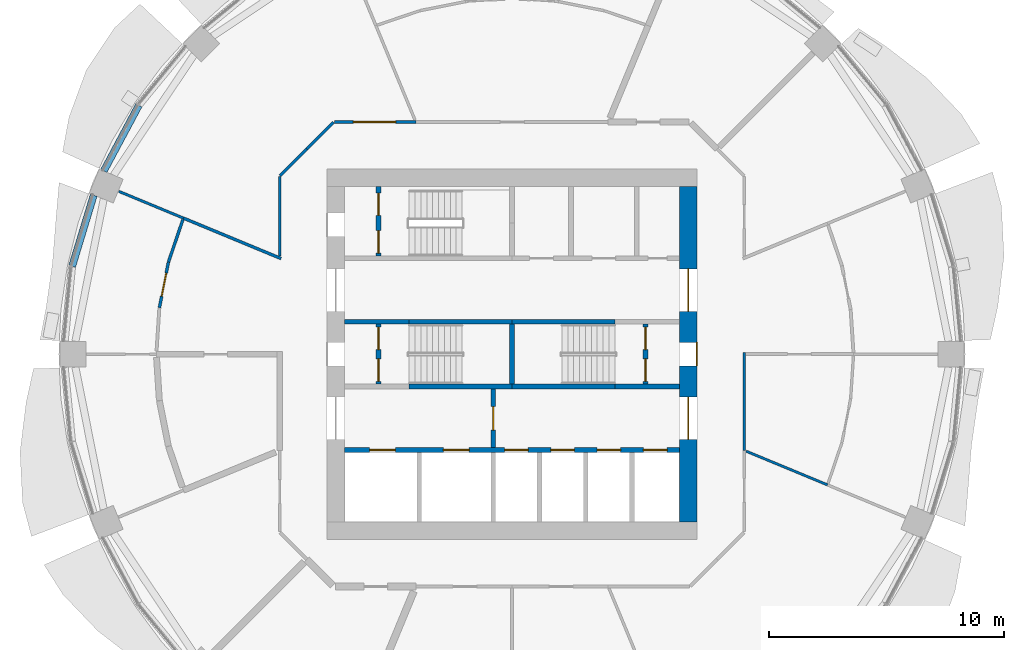
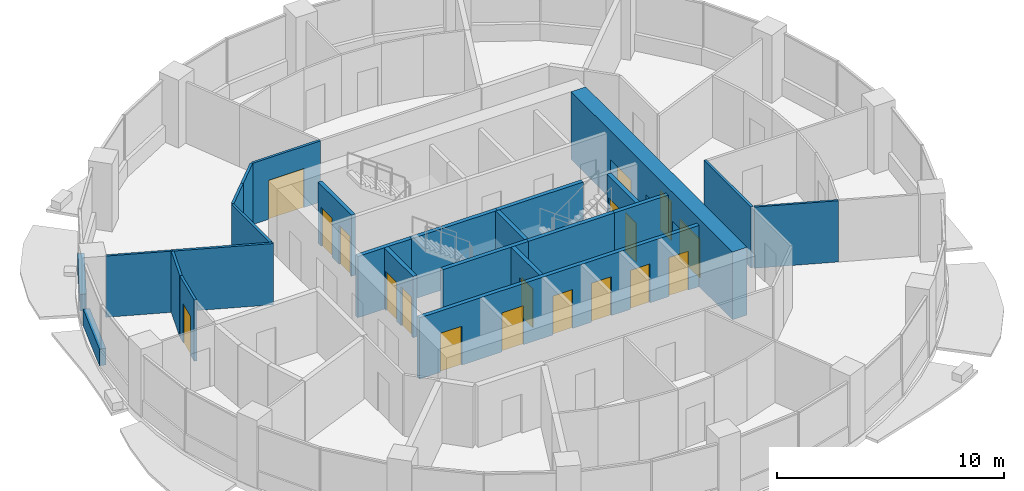
# One storey, part 8 of 14: 25 walls, 18 doors, 18 openings.
"""IFC4 building model written with IfcOpenShell, lengths in metres."""

from ifc_helpers import new_model, si_unit, direction, frame, frame_2d, origin, place, context, subcontext, project, spatial, rectangle, extrude, material, layer, layer_set, type_object, element, fill, save


model = new_model("IFC4")

# Units and contexts
model_context = context("Model", 3, precision=1e-05, world=origin(), true_north=direction((0.0, 1.0)))
body_context = subcontext(model_context, "Body", "Model", "MODEL_VIEW")
ifc_project = project(units=[si_unit("LENGTHUNIT", "METRE"), si_unit("AREAUNIT", "SQUARE_METRE"), si_unit("VOLUMEUNIT", "CUBIC_METRE"), si_unit("PLANEANGLEUNIT", "RADIAN"), si_unit("MASSUNIT", "GRAM", prefix="KILO")], contexts=[model_context])

# Site, building, storey
site_placement = place(None, origin())
site = spatial("IfcSite", under=ifc_project, at=site_placement, CompositionType="ELEMENT")
building_placement = place(site_placement, origin())
building = spatial("IfcBuilding", under=site, at=building_placement, Name="Polderwave Tower", CompositionType="ELEMENT")
storey_placement = place(building_placement, frame((0.0, 0.0, 94.64990234375)))
storey = spatial("IfcBuildingStorey", under=building, at=storey_placement, Name="L24", CompositionType="ELEMENT", Elevation=94.64990234375)

# Wall, openings, doors
ifc_material_1 = material(Name="Concrete C70/85", Category="concrete")
ifc_layer_1 = layer(ifc_material_1, 0.75)
ifc_layer_set_1 = layer_set([ifc_layer_1], Name="CORE WALL 750 C70/85")
wall_type_1 = type_object("IfcWallType", Name="CORE WALL 750 C70/85", PredefinedType="SHEAR", material=ifc_layer_set_1)
wall_1_placement = place(storey_placement, frame((7.4990234375, -7.1240234375, 0.0), z_axis=(0.0, 0.0, 1.0), x_axis=(0.0, 1.0, 0.0)))
wall_1 = element("IfcWall", 1, at=wall_1_placement, inside=storey, type_object=wall_type_1, Name="ST-CORE-L24-E", PredefinedType="SHEAR", context=body_context, shape_type="SweptSolid", body=[
    extrude(rectangle(XDim=14.248046875, YDim=0.75, at=frame_2d((7.1240234375, 0.0))), origin(), (0.0, 0.0, 1.0), 3.650146484375),
])
opening_1_placement = place(wall_1_placement, frame((6.6240234375, 0.0, 0.0)))
opening_1 = element("IfcOpeningElement", 2, at=opening_1_placement, cuts=wall_1, Name="Opening L24-D21", PredefinedType="OPENING", context=body_context, shape_type="SweptSolid", body=[
    extrude(rectangle(XDim=1.0, YDim=2.10009765625, at=frame_2d((0.5, 1.050048828125))), frame((0.0, 0.385009765625, 0.0), z_axis=(0.0, -1.0, 0.0), x_axis=(1.0, 0.0, 0.0)), (0.0, 0.0, 1.0), 0.77001953125),
])
opening_2_placement = place(wall_1_placement, frame((3.49951171875, 0.0, 0.0)))
opening_2 = element("IfcOpeningElement", 3, at=opening_2_placement, cuts=wall_1, Name="Opening L24-D22", PredefinedType="OPENING", context=body_context, shape_type="SweptSolid", body=[
    extrude(rectangle(XDim=1.800048828125, YDim=2.10009765625, at=frame_2d((0.89990234375, 1.050048828125))), frame((0.0, 0.385009765625, 0.0), z_axis=(0.0, -1.0, 0.0), x_axis=(1.0, 0.0, 0.0)), (0.0, 0.0, 1.0), 0.77001953125),
])
opening_3_placement = place(wall_1_placement, frame((8.948486328125, 0.0, 0.0)))
opening_3 = element("IfcOpeningElement", 4, at=opening_3_placement, cuts=wall_1, Name="Opening L24-D23", PredefinedType="OPENING", context=body_context, shape_type="SweptSolid", body=[
    extrude(rectangle(XDim=1.800048828125, YDim=2.10009765625, at=frame_2d((0.89990234375, 1.050048828125))), frame((0.0, 0.385009765625, 0.0), z_axis=(0.0, -1.0, 0.0), x_axis=(1.0, 0.0, 0.0)), (0.0, 0.0, 1.0), 0.77001953125),
])
ifc_material_2 = material(Name="Steel fire door", Category="steel")
door_type_1 = type_object("IfcDoorType", Name="Lobby entry door pair 1800", OperationType="DOUBLE_DOOR_SINGLE_SWING", PredefinedType="DOOR", material=ifc_material_2)
door_1_placement = place(opening_2_placement, frame((1.800048828125, 0.0, 0.0), z_axis=(0.0, 0.0, 1.0), x_axis=(-1.0, 0.0, 0.0)))
door_1 = element("IfcDoor", 5, at=door_1_placement, inside=storey, type_object=door_type_1, Name="South lobby entry door", OperationType="DOUBLE_DOOR_SINGLE_SWING", OverallHeight=2.10009765625, OverallWidth=1.800048828125, PredefinedType="DOOR", context=body_context, shape_type="SweptSolid", body=[
    extrude(rectangle(XDim=1.800048828125, YDim=2.10009765625, at=frame_2d((0.89990234375, 1.050048828125))), frame((0.0, 0.02490234375, 0.0), z_axis=(0.0, -1.0, 0.0), x_axis=(1.0, 0.0, 0.0)), (0.0, 0.0, 1.0), 0.050048828125),
])
fill(opening_2, door_1)
door_2_placement = place(opening_3_placement, frame((1.800048828125, 0.0, 0.0), z_axis=(0.0, 0.0, 1.0), x_axis=(-1.0, 0.0, 0.0)))
door_2 = element("IfcDoor", 6, at=door_2_placement, inside=storey, type_object=door_type_1, Name="North lobby entry door", OperationType="DOUBLE_DOOR_SINGLE_SWING", OverallHeight=2.10009765625, OverallWidth=1.800048828125, PredefinedType="DOOR", context=body_context, shape_type="SweptSolid", body=[
    extrude(rectangle(XDim=1.800048828125, YDim=2.10009765625, at=frame_2d((0.89990234375, 1.050048828125))), frame((0.0, 0.02490234375, 0.0), z_axis=(0.0, -1.0, 0.0), x_axis=(1.0, 0.0, 0.0)), (0.0, 0.0, 1.0), 0.050048828125),
])
fill(opening_3, door_2)
door_type_2 = type_object("IfcDoorType", Name="Stair door 1000", OperationType="NOTDEFINED", PredefinedType="DOOR", material=ifc_material_2)
door_3_placement = place(opening_1_placement, frame((1.0, 0.0, 0.0), z_axis=(0.0, 0.0, 1.0), x_axis=(-1.0, 0.0, 0.0)))
door_3 = element("IfcDoor", 7, at=door_3_placement, inside=storey, type_object=door_type_2, Name="Stair B entry door", OperationType="SINGLE_SWING_LEFT", OverallHeight=2.10009765625, OverallWidth=1.0, PredefinedType="DOOR", context=body_context, shape_type="SweptSolid", body=[
    extrude(rectangle(XDim=1.0, YDim=2.10009765625, at=frame_2d((0.5, 1.050048828125))), frame((0.0, 0.375, 0.0), z_axis=(0.0, -1.0, 0.0), x_axis=(1.0, 0.0, 0.0)), (0.0, 0.0, 1.0), 0.050048828125),
])
fill(opening_1, door_3)

# Walls
ifc_material_3 = material(Name="Concrete C50/60 (board-marked)", Category="concrete")
ifc_layer_2 = layer(ifc_material_3, 0.300048828125)
ifc_layer_set_2 = layer_set([ifc_layer_2], Name="Concrete spandrel upstand C50/60")
wall_type_2 = type_object("IfcWallType", Name="Concrete spandrel upstand C50/60", PredefinedType="SOLIDWALL", material=ifc_layer_set_2)
wall_2_placement = place(storey_placement, frame((-15.863037109375, 10.581787109375, 0.0), z_axis=(0.0, 0.0, 1.0), x_axis=(-0.471238306932, -0.882005928597, 0.0)))
element("IfcWall", 8, at=wall_2_placement, inside=storey, type_object=wall_type_2, Name="Spandrel L24 7b", PredefinedType="SOLIDWALL", context=body_context, shape_type="SweptSolid", body=[
    extrude(rectangle(XDim=3.1572265625, YDim=0.300048828125, at=frame_2d((1.57861328125, 0.0))), origin(), (0.0, 0.0, 1.0), 0.900146484375),
])
wall_3_placement = place(storey_placement, frame((-17.782470703125, 6.755615234375, 0.0), z_axis=(0.0, 0.0, 1.0), x_axis=(-0.290503096001, -0.956874051907, 0.0)))
element("IfcWall", 9, at=wall_3_placement, inside=storey, type_object=wall_type_2, Name="Spandrel L24 8a", PredefinedType="SOLIDWALL", context=body_context, shape_type="SweptSolid", body=[
    extrude(rectangle(XDim=3.157470703125, YDim=0.300048828125, at=frame_2d((1.57861328125, 0.0))), origin(), (0.0, 0.0, 1.0), 0.900146484375),
])

# Wall, opening, door
ifc_material_4 = material(Name="Gypsum board partition")
ifc_layer_3 = layer(ifc_material_4, 0.199951171875)
ifc_layer_set_3 = layer_set([ifc_layer_3], Name="Core room partition 200")
wall_type_3 = type_object("IfcWallType", Name="Core room partition 200", PredefinedType="PARTITIONING", material=ifc_layer_set_3)
wall_4_placement = place(storey_placement, frame((-0.800048828125, -3.97412109375, 0.0), z_axis=(0.0, 0.0, 1.0), x_axis=(0.0, 1.0, 0.0)))
wall_4 = element("IfcWall", 10, at=wall_4_placement, inside=storey, type_object=wall_type_3, Name="L24 fire-fighting lobby wall", PredefinedType="PARTITIONING", context=body_context, shape_type="SweptSolid", body=[
    extrude(rectangle(XDim=2.4990234375, YDim=0.199951171875, at=frame_2d((1.24951171875, 0.0))), origin(), (0.0, 0.0, 1.0), 3.300048828125),
])
opening_4_placement = place(wall_4_placement, frame((0.74951171875, 0.0, 0.0)))
opening_4 = element("IfcOpeningElement", 11, at=opening_4_placement, cuts=wall_4, Name="Opening L24-D13", PredefinedType="OPENING", context=body_context, shape_type="SweptSolid", body=[
    extrude(rectangle(XDim=1.0, YDim=2.10009765625, at=frame_2d((0.5, 1.050048828125))), frame((0.0, 0.10986328125, 0.0), z_axis=(0.0, -1.0, 0.0), x_axis=(1.0, 0.0, 0.0)), (0.0, 0.0, 1.0), 0.219970703125),
])
door_type_3 = type_object("IfcDoorType", Name="Lobby fire door 1000", OperationType="NOTDEFINED", PredefinedType="DOOR", material=ifc_material_2)
door_4_placement = place(opening_4_placement, frame((1.0, 0.0, 0.0), z_axis=(0.0, 0.0, 1.0), x_axis=(-1.0, 0.0, 0.0)))
door_4 = element("IfcDoor", 12, at=door_4_placement, inside=storey, type_object=door_type_3, Name="Fire-fighting lobby door", OperationType="SINGLE_SWING_LEFT", OverallHeight=2.10009765625, OverallWidth=1.0, PredefinedType="DOOR", context=body_context, shape_type="SweptSolid", body=[
    extrude(rectangle(XDim=1.0, YDim=2.10009765625, at=frame_2d((0.5, 1.050048828125))), frame((0.0, 0.02490234375, 0.0), z_axis=(0.0, -1.0, 0.0), x_axis=(1.0, 0.0, 0.0)), (0.0, 0.0, 1.0), 0.050048828125),
])
fill(opening_4, door_4)

# Wall, openings, doors
wall_5_placement = place(storey_placement, frame((-5.674072265625, -1.27490234375, 0.0), z_axis=(0.0, 0.0, 1.0), x_axis=(0.0, 1.0, 0.0)))
wall_5 = element("IfcWall", 13, at=wall_5_placement, inside=storey, type_object=wall_type_3, Name="L24 smoke lobby wall A", PredefinedType="PARTITIONING", context=body_context, shape_type="SweptSolid", body=[
    extrude(rectangle(XDim=2.5498046875, YDim=0.199951171875, at=frame_2d((1.27490234375, 0.0))), origin(), (0.0, 0.0, 1.0), 3.300048828125),
])
opening_5_placement = place(wall_5_placement, frame((0.125, 0.0, 0.0)))
opening_5 = element("IfcOpeningElement", 14, at=opening_5_placement, cuts=wall_5, Name="Opening L24-D07", PredefinedType="OPENING", context=body_context, shape_type="SweptSolid", body=[
    extrude(rectangle(XDim=0.949951171875, YDim=2.10009765625, at=frame_2d((0.47509765625, 1.050048828125))), frame((0.0, 0.10986328125, 0.0), z_axis=(0.0, -1.0, 0.0), x_axis=(1.0, 0.0, 0.0)), (0.0, 0.0, 1.0), 0.219970703125),
])
opening_6_placement = place(wall_5_placement, frame((1.47509765625, 0.0, 0.0)))
opening_6 = element("IfcOpeningElement", 15, at=opening_6_placement, cuts=wall_5, Name="Opening L24-D08", PredefinedType="OPENING", context=body_context, shape_type="SweptSolid", body=[
    extrude(rectangle(XDim=0.949951171875, YDim=2.10009765625, at=frame_2d((0.47509765625, 1.050048828125))), frame((0.0, 0.10986328125, 0.0), z_axis=(0.0, -1.0, 0.0), x_axis=(1.0, 0.0, 0.0)), (0.0, 0.0, 1.0), 0.219970703125),
])
door_type_4 = type_object("IfcDoorType", Name="Smoke lobby door 950", OperationType="NOTDEFINED", PredefinedType="DOOR", material=ifc_material_2)
door_5_placement = place(opening_5_placement, origin())
door_5 = element("IfcDoor", 16, at=door_5_placement, inside=storey, type_object=door_type_4, Name="Stair A smoke lobby inner door", OperationType="SINGLE_SWING_LEFT", OverallHeight=2.10009765625, OverallWidth=0.949951171875, PredefinedType="DOOR", context=body_context, shape_type="SweptSolid", body=[
    extrude(rectangle(XDim=0.949951171875, YDim=2.10009765625, at=frame_2d((0.47509765625, 1.050048828125))), frame((0.0, 0.02490234375, 0.0), z_axis=(0.0, -1.0, 0.0), x_axis=(1.0, 0.0, 0.0)), (0.0, 0.0, 1.0), 0.050048828125),
])
fill(opening_5, door_5)
door_6_placement = place(opening_6_placement, origin())
door_6 = element("IfcDoor", 17, at=door_6_placement, inside=storey, type_object=door_type_4, Name="Stair A smoke lobby inner door", OperationType="SINGLE_SWING_RIGHT", OverallHeight=2.10009765625, OverallWidth=0.949951171875, PredefinedType="DOOR", context=body_context, shape_type="SweptSolid", body=[
    extrude(rectangle(XDim=0.949951171875, YDim=2.10009765625, at=frame_2d((0.47509765625, 1.050048828125))), frame((0.0, 0.02490234375, 0.0), z_axis=(0.0, -1.0, 0.0), x_axis=(1.0, 0.0, 0.0)), (0.0, 0.0, 1.0), 0.050048828125),
])
fill(opening_6, door_6)

wall_6_placement = place(storey_placement, frame((5.674072265625, -1.27490234375, 0.0), z_axis=(0.0, 0.0, 1.0), x_axis=(0.0, 1.0, 0.0)))
wall_6 = element("IfcWall", 18, at=wall_6_placement, inside=storey, type_object=wall_type_3, Name="L24 smoke lobby wall B", PredefinedType="PARTITIONING", context=body_context, shape_type="SweptSolid", body=[
    extrude(rectangle(XDim=2.5498046875, YDim=0.199951171875, at=frame_2d((1.27490234375, 0.0))), origin(), (0.0, 0.0, 1.0), 3.300048828125),
])
opening_7_placement = place(wall_6_placement, frame((0.125, 0.0, 0.0)))
opening_7 = element("IfcOpeningElement", 19, at=opening_7_placement, cuts=wall_6, Name="Opening L24-D09", PredefinedType="OPENING", context=body_context, shape_type="SweptSolid", body=[
    extrude(rectangle(XDim=0.949951171875, YDim=2.10009765625, at=frame_2d((0.47509765625, 1.050048828125))), frame((0.0, 0.10986328125, 0.0), z_axis=(0.0, -1.0, 0.0), x_axis=(1.0, 0.0, 0.0)), (0.0, 0.0, 1.0), 0.219970703125),
])
opening_8_placement = place(wall_6_placement, frame((1.47509765625, 0.0, 0.0)))
opening_8 = element("IfcOpeningElement", 20, at=opening_8_placement, cuts=wall_6, Name="Opening L24-D10", PredefinedType="OPENING", context=body_context, shape_type="SweptSolid", body=[
    extrude(rectangle(XDim=0.949951171875, YDim=2.10009765625, at=frame_2d((0.47509765625, 1.050048828125))), frame((0.0, 0.10986328125, 0.0), z_axis=(0.0, -1.0, 0.0), x_axis=(1.0, 0.0, 0.0)), (0.0, 0.0, 1.0), 0.219970703125),
])
door_7_placement = place(opening_7_placement, frame((0.949951171875, 0.0, 0.0), z_axis=(0.0, 0.0, 1.0), x_axis=(-1.0, 0.0, 0.0)))
door_7 = element("IfcDoor", 21, at=door_7_placement, inside=storey, type_object=door_type_4, Name="Stair B smoke lobby inner door", OperationType="SINGLE_SWING_RIGHT", OverallHeight=2.10009765625, OverallWidth=0.949951171875, PredefinedType="DOOR", context=body_context, shape_type="SweptSolid", body=[
    extrude(rectangle(XDim=0.949951171875, YDim=2.10009765625, at=frame_2d((0.47509765625, 1.050048828125))), frame((0.0, 0.02490234375, 0.0), z_axis=(0.0, -1.0, 0.0), x_axis=(1.0, 0.0, 0.0)), (0.0, 0.0, 1.0), 0.050048828125),
])
fill(opening_7, door_7)
door_8_placement = place(opening_8_placement, frame((0.949951171875, 0.0, 0.0), z_axis=(0.0, 0.0, 1.0), x_axis=(-1.0, 0.0, 0.0)))
door_8 = element("IfcDoor", 22, at=door_8_placement, inside=storey, type_object=door_type_4, Name="Stair B smoke lobby inner door", OperationType="SINGLE_SWING_LEFT", OverallHeight=2.10009765625, OverallWidth=0.949951171875, PredefinedType="DOOR", context=body_context, shape_type="SweptSolid", body=[
    extrude(rectangle(XDim=0.949951171875, YDim=2.10009765625, at=frame_2d((0.47509765625, 1.050048828125))), frame((0.0, 0.02490234375, 0.0), z_axis=(0.0, -1.0, 0.0), x_axis=(1.0, 0.0, 0.0)), (0.0, 0.0, 1.0), 0.050048828125),
])
fill(opening_8, door_8)

wall_7_placement = place(storey_placement, frame((-5.674072265625, 4.174072265625, 0.0), z_axis=(0.0, 0.0, 1.0), x_axis=(0.0, 1.0, 0.0)))
wall_7 = element("IfcWall", 23, at=wall_7_placement, inside=storey, type_object=wall_type_3, Name="L24 smoke lobby wall C", PredefinedType="PARTITIONING", context=body_context, shape_type="SweptSolid", body=[
    extrude(rectangle(XDim=2.949951171875, YDim=0.199951171875, at=frame_2d((1.47509765625, 0.0))), origin(), (0.0, 0.0, 1.0), 3.300048828125),
])
opening_9_placement = place(wall_7_placement, frame((0.125, 0.0, 0.0)))
opening_9 = element("IfcOpeningElement", 24, at=opening_9_placement, cuts=wall_7, Name="Opening L24-D11", PredefinedType="OPENING", context=body_context, shape_type="SweptSolid", body=[
    extrude(rectangle(XDim=0.949951171875, YDim=2.10009765625, at=frame_2d((0.47509765625, 1.050048828125))), frame((0.0, 0.10986328125, 0.0), z_axis=(0.0, -1.0, 0.0), x_axis=(1.0, 0.0, 0.0)), (0.0, 0.0, 1.0), 0.219970703125),
])
opening_10_placement = place(wall_7_placement, frame((1.72509765625, 0.0, 0.0)))
opening_10 = element("IfcOpeningElement", 25, at=opening_10_placement, cuts=wall_7, Name="Opening L24-D12", PredefinedType="OPENING", context=body_context, shape_type="SweptSolid", body=[
    extrude(rectangle(XDim=0.949951171875, YDim=2.10009765625, at=frame_2d((0.47509765625, 1.050048828125))), frame((0.0, 0.10986328125, 0.0), z_axis=(0.0, -1.0, 0.0), x_axis=(1.0, 0.0, 0.0)), (0.0, 0.0, 1.0), 0.219970703125),
])
door_9_placement = place(opening_9_placement, origin())
door_9 = element("IfcDoor", 26, at=door_9_placement, inside=storey, type_object=door_type_4, Name="Stair C smoke lobby inner door", OperationType="SINGLE_SWING_LEFT", OverallHeight=2.10009765625, OverallWidth=0.949951171875, PredefinedType="DOOR", context=body_context, shape_type="SweptSolid", body=[
    extrude(rectangle(XDim=0.949951171875, YDim=2.10009765625, at=frame_2d((0.47509765625, 1.050048828125))), frame((0.0, 0.02490234375, 0.0), z_axis=(0.0, -1.0, 0.0), x_axis=(1.0, 0.0, 0.0)), (0.0, 0.0, 1.0), 0.050048828125),
])
fill(opening_9, door_9)
door_10_placement = place(opening_10_placement, origin())
door_10 = element("IfcDoor", 27, at=door_10_placement, inside=storey, type_object=door_type_4, Name="Stair C smoke lobby inner door", OperationType="SINGLE_SWING_RIGHT", OverallHeight=2.10009765625, OverallWidth=0.949951171875, PredefinedType="DOOR", context=body_context, shape_type="SweptSolid", body=[
    extrude(rectangle(XDim=0.949951171875, YDim=2.10009765625, at=frame_2d((0.47509765625, 1.050048828125))), frame((0.0, 0.02490234375, 0.0), z_axis=(0.0, -1.0, 0.0), x_axis=(1.0, 0.0, 0.0)), (0.0, 0.0, 1.0), 0.050048828125),
])
fill(opening_10, door_10)

ifc_material_5 = material(Name="Concrete C50/60", Category="concrete")
ifc_layer_4 = layer(ifc_material_5, 0.199951171875)
ifc_layer_set_4 = layer_set([ifc_layer_4], Name="Core web wall 200")
wall_type_4 = type_object("IfcWallType", Name="Core web wall 200", PredefinedType="SHEAR", material=ifc_layer_set_4)
wall_8_placement = place(storey_placement, frame((-7.1240234375, -4.073974609375, 0.0), z_axis=(0.0, 0.0, 1.0), x_axis=(1.0, 0.0, 0.0)))
wall_8 = element("IfcWall", 28, at=wall_8_placement, inside=storey, type_object=wall_type_4, Name="L24 south front wall", PredefinedType="SHEAR", context=body_context, shape_type="SweptSolid", body=[
    extrude(rectangle(XDim=14.248046875, YDim=0.199951171875, at=frame_2d((7.1240234375, 0.0))), origin(), (0.0, 0.0, 1.0), 3.300048828125),
])
opening_11_placement = place(wall_8_placement, frame((1.068603515625, 0.0, 0.0)))
opening_11 = element("IfcOpeningElement", 29, at=opening_11_placement, cuts=wall_8, Name="Opening L24-D01", PredefinedType="OPENING", context=body_context, shape_type="SweptSolid", body=[
    extrude(rectangle(XDim=1.10009765625, YDim=2.10009765625, at=frame_2d((0.550048828125, 1.050048828125))), frame((0.0, 0.10986328125, 0.0), z_axis=(0.0, -1.0, 0.0), x_axis=(1.0, 0.0, 0.0)), (0.0, 0.0, 1.0), 0.219970703125),
])
opening_12_placement = place(wall_8_placement, frame((4.20556640625, 0.0, 0.0)))
opening_12 = element("IfcOpeningElement", 30, at=opening_12_placement, cuts=wall_8, Name="Opening L24-D02", PredefinedType="OPENING", context=body_context, shape_type="SweptSolid", body=[
    extrude(rectangle(XDim=1.10009765625, YDim=2.10009765625, at=frame_2d((0.550048828125, 1.050048828125))), frame((0.0, 0.10986328125, 0.0), z_axis=(0.0, -1.0, 0.0), x_axis=(1.0, 0.0, 0.0)), (0.0, 0.0, 1.0), 0.219970703125),
])
opening_13_placement = place(wall_8_placement, frame((6.80810546875, 0.0, 0.0)))
opening_13 = element("IfcOpeningElement", 31, at=opening_13_placement, cuts=wall_8, Name="Opening L24-D03", PredefinedType="OPENING", context=body_context, shape_type="SweptSolid", body=[
    extrude(rectangle(XDim=1.0, YDim=2.10009765625, at=frame_2d((0.5, 1.050048828125))), frame((0.0, 0.10986328125, 0.0), z_axis=(0.0, -1.0, 0.0), x_axis=(1.0, 0.0, 0.0)), (0.0, 0.0, 1.0), 0.219970703125),
])
opening_14_placement = place(wall_8_placement, frame((8.776611328125, 0.0, 0.0)))
opening_14 = element("IfcOpeningElement", 32, at=opening_14_placement, cuts=wall_8, Name="Opening L24-D04", PredefinedType="OPENING", context=body_context, shape_type="SweptSolid", body=[
    extrude(rectangle(XDim=1.0, YDim=2.10009765625, at=frame_2d((0.5, 1.050048828125))), frame((0.0, 0.10986328125, 0.0), z_axis=(0.0, -1.0, 0.0), x_axis=(1.0, 0.0, 0.0)), (0.0, 0.0, 1.0), 0.219970703125),
])
opening_15_placement = place(wall_8_placement, frame((10.7451171875, 0.0, 0.0)))
opening_15 = element("IfcOpeningElement", 33, at=opening_15_placement, cuts=wall_8, Name="Opening L24-D05", PredefinedType="OPENING", context=body_context, shape_type="SweptSolid", body=[
    extrude(rectangle(XDim=1.0, YDim=2.10009765625, at=frame_2d((0.5, 1.050048828125))), frame((0.0, 0.10986328125, 0.0), z_axis=(0.0, -1.0, 0.0), x_axis=(1.0, 0.0, 0.0)), (0.0, 0.0, 1.0), 0.219970703125),
])
opening_16_placement = place(wall_8_placement, frame((12.7138671875, 0.0, 0.0)))
opening_16 = element("IfcOpeningElement", 34, at=opening_16_placement, cuts=wall_8, Name="Opening L24-D06", PredefinedType="OPENING", context=body_context, shape_type="SweptSolid", body=[
    extrude(rectangle(XDim=1.0, YDim=2.10009765625, at=frame_2d((0.5, 1.050048828125))), frame((0.0, 0.10986328125, 0.0), z_axis=(0.0, -1.0, 0.0), x_axis=(1.0, 0.0, 0.0)), (0.0, 0.0, 1.0), 0.219970703125),
])
ifc_material_6 = material(Name="Stainless steel", Category="steel")
door_type_5 = type_object("IfcDoorType", Name="Fire-fighting lift landing door 1100", OperationType="DOUBLE_DOOR_SLIDING", PredefinedType="DOOR", material=ifc_material_6)
door_11_placement = place(opening_11_placement, origin())
door_11 = element("IfcDoor", 35, at=door_11_placement, inside=storey, type_object=door_type_5, Name="Fire-fighting lift FF1 landing door", OperationType="DOUBLE_DOOR_SLIDING", OverallHeight=2.10009765625, OverallWidth=1.10009765625, PredefinedType="DOOR", context=body_context, shape_type="SweptSolid", body=[
    extrude(rectangle(XDim=1.10009765625, YDim=2.10009765625, at=frame_2d((0.550048828125, 1.050048828125))), frame((0.0, 0.02490234375, 0.0), z_axis=(0.0, -1.0, 0.0), x_axis=(1.0, 0.0, 0.0)), (0.0, 0.0, 1.0), 0.050048828125),
])
fill(opening_11, door_11)
door_12_placement = place(opening_12_placement, origin())
door_12 = element("IfcDoor", 36, at=door_12_placement, inside=storey, type_object=door_type_5, Name="Fire-fighting lift FF2 landing door", OperationType="DOUBLE_DOOR_SLIDING", OverallHeight=2.10009765625, OverallWidth=1.10009765625, PredefinedType="DOOR", context=body_context, shape_type="SweptSolid", body=[
    extrude(rectangle(XDim=1.10009765625, YDim=2.10009765625, at=frame_2d((0.550048828125, 1.050048828125))), frame((0.0, 0.02490234375, 0.0), z_axis=(0.0, -1.0, 0.0), x_axis=(1.0, 0.0, 0.0)), (0.0, 0.0, 1.0), 0.050048828125),
])
fill(opening_12, door_12)
door_type_6 = type_object("IfcDoorType", Name="Lift landing door 1000", OperationType="DOUBLE_DOOR_SLIDING", PredefinedType="DOOR", material=ifc_material_6)
door_13_placement = place(opening_13_placement, origin())
door_13 = element("IfcDoor", 37, at=door_13_placement, inside=storey, type_object=door_type_6, Name="Lift LL1 landing door", OperationType="DOUBLE_DOOR_SLIDING", OverallHeight=2.10009765625, OverallWidth=1.0, PredefinedType="DOOR", context=body_context, shape_type="SweptSolid", body=[
    extrude(rectangle(XDim=1.0, YDim=2.10009765625, at=frame_2d((0.5, 1.050048828125))), frame((0.0, 0.02490234375, 0.0), z_axis=(0.0, -1.0, 0.0), x_axis=(1.0, 0.0, 0.0)), (0.0, 0.0, 1.0), 0.050048828125),
])
fill(opening_13, door_13)
door_14_placement = place(opening_14_placement, origin())
door_14 = element("IfcDoor", 38, at=door_14_placement, inside=storey, type_object=door_type_6, Name="Lift LL2 landing door", OperationType="DOUBLE_DOOR_SLIDING", OverallHeight=2.10009765625, OverallWidth=1.0, PredefinedType="DOOR", context=body_context, shape_type="SweptSolid", body=[
    extrude(rectangle(XDim=1.0, YDim=2.10009765625, at=frame_2d((0.5, 1.050048828125))), frame((0.0, 0.02490234375, 0.0), z_axis=(0.0, -1.0, 0.0), x_axis=(1.0, 0.0, 0.0)), (0.0, 0.0, 1.0), 0.050048828125),
])
fill(opening_14, door_14)
door_15_placement = place(opening_15_placement, origin())
door_15 = element("IfcDoor", 39, at=door_15_placement, inside=storey, type_object=door_type_6, Name="Lift LL3 landing door", OperationType="DOUBLE_DOOR_SLIDING", OverallHeight=2.10009765625, OverallWidth=1.0, PredefinedType="DOOR", context=body_context, shape_type="SweptSolid", body=[
    extrude(rectangle(XDim=1.0, YDim=2.10009765625, at=frame_2d((0.5, 1.050048828125))), frame((0.0, 0.02490234375, 0.0), z_axis=(0.0, -1.0, 0.0), x_axis=(1.0, 0.0, 0.0)), (0.0, 0.0, 1.0), 0.050048828125),
])
fill(opening_15, door_15)
door_16_placement = place(opening_16_placement, origin())
door_16 = element("IfcDoor", 40, at=door_16_placement, inside=storey, type_object=door_type_6, Name="Lift LL4 landing door", OperationType="DOUBLE_DOOR_SLIDING", OverallHeight=2.10009765625, OverallWidth=1.0, PredefinedType="DOOR", context=body_context, shape_type="SweptSolid", body=[
    extrude(rectangle(XDim=1.0, YDim=2.10009765625, at=frame_2d((0.5, 1.050048828125))), frame((0.0, 0.02490234375, 0.0), z_axis=(0.0, -1.0, 0.0), x_axis=(1.0, 0.0, 0.0)), (0.0, 0.0, 1.0), 0.050048828125),
])
fill(opening_16, door_16)

# Walls
for number, where, z_axis, x_axis, name in (
    (41, (-4.3740234375, -1.375, 0.0), (0.0, 0.0, 1.0), (1.0, 0.0, 0.0), "L24 south stair wall 2"),
    (42, (0.0, -1.375, 0.0), (0.0, 0.0, 1.0), (1.0, 0.0, 0.0), "L24 south stair wall 3"),
):
    element("IfcWall", number, at=place(storey_placement, frame(where, z_axis=z_axis, x_axis=x_axis)), inside=storey, type_object=wall_type_4, Name=name, PredefinedType="SHEAR", context=body_context, shape_type="SweptSolid", body=[
        extrude(rectangle(XDim=4.3740234375, YDim=0.199951171875, at=frame_2d((2.18701171875, 0.0))), origin(), (0.0, 0.0, 1.0), 3.300048828125),
    ])
for number, where, z_axis, x_axis, name in (
    (43, (4.3740234375, -1.375, 0.0), (0.0, 0.0, 1.0), (1.0, 0.0, 0.0), "L24 south stair wall 4"),
    (44, (-7.1240234375, 1.375, 0.0), (0.0, 0.0, 1.0), (1.0, 0.0, 0.0), "L24 north stair wall 1"),
):
    element("IfcWall", number, at=place(storey_placement, frame(where, z_axis=z_axis, x_axis=x_axis)), inside=storey, type_object=wall_type_4, Name=name, PredefinedType="SHEAR", context=body_context, shape_type="SweptSolid", body=[
        extrude(rectangle(XDim=2.75, YDim=0.199951171875, at=frame_2d((1.375, 0.0))), origin(), (0.0, 0.0, 1.0), 3.300048828125),
    ])
for number, where, z_axis, x_axis, name in (
    (45, (-4.3740234375, 1.375, 0.0), (0.0, 0.0, 1.0), (1.0, 0.0, 0.0), "L24 north stair wall 2"),
    (46, (0.0, 1.375, 0.0), (0.0, 0.0, 1.0), (1.0, 0.0, 0.0), "L24 north stair wall 3"),
):
    element("IfcWall", number, at=place(storey_placement, frame(where, z_axis=z_axis, x_axis=x_axis)), inside=storey, type_object=wall_type_4, Name=name, PredefinedType="SHEAR", context=body_context, shape_type="SweptSolid", body=[
        extrude(rectangle(XDim=4.3740234375, YDim=0.199951171875, at=frame_2d((2.18701171875, 0.0))), origin(), (0.0, 0.0, 1.0), 3.300048828125),
    ])
wall_9_placement = place(storey_placement, frame((0.0, -1.27490234375, 0.0), z_axis=(0.0, 0.0, 1.0), x_axis=(0.0, 1.0, 0.0)))
element("IfcWall", 47, at=wall_9_placement, inside=storey, type_object=wall_type_4, Name="L24 wall between the stairs", PredefinedType="SHEAR", context=body_context, shape_type="SweptSolid", body=[
    extrude(rectangle(XDim=2.5498046875, YDim=0.199951171875, at=frame_2d((1.27490234375, 0.0))), origin(), (0.0, 0.0, 1.0), 3.300048828125),
])
ifc_material_7 = material(Name="Fire-resisting board on steel studs", Category="steel")
ifc_layer_5 = layer(ifc_material_7, 0.125)
ifc_layer_set_5 = layer_set([ifc_layer_5], Name="Corridor wall 125 mm EI 60")
wall_type_5 = type_object("IfcWallType", Name="Corridor wall 125 mm EI 60", PredefinedType="PARTITIONING", material=ifc_layer_set_5)
wall_10_placement = place(storey_placement, frame((9.8740234375, 0.0625, 0.0), z_axis=(0.0, 0.0, 1.0), x_axis=(0.0, -1.0, 0.0)))
element("IfcWall", 48, at=wall_10_placement, inside=storey, type_object=wall_type_5, Name="IN-L24-W005", PredefinedType="PARTITIONING", context=body_context, shape_type="SweptSolid", body=[
    extrude(rectangle(XDim=4.15234375, YDim=0.125, at=frame_2d((2.076171875, 0.0))), origin(), (0.0, 0.0, 1.0), 3.300048828125),
])
wall_11_placement = place(storey_placement, frame((-8.722412109375, 8.722412109375, 0.0), z_axis=(0.0, 0.0, 1.0), x_axis=(0.707030604857, 0.70718294931, 0.0)))
element("IfcWall", 49, at=wall_11_placement, inside=storey, type_object=wall_type_5, Name="IN-L24-W009", PredefinedType="PARTITIONING", context=body_context, shape_type="SweptSolid", body=[
    extrude(rectangle(XDim=1.6025390625, YDim=0.125, at=frame_2d((0.80126953125, 0.0))), origin(), (0.0, 0.0, 1.0), 3.300048828125),
])

# Wall, opening, door
wall_12_placement = place(storey_placement, frame((-7.545166015625, 9.8740234375, 0.0), z_axis=(0.0, 0.0, 1.0), x_axis=(1.0, 0.0, 0.0)))
wall_12 = element("IfcWall", 50, at=wall_12_placement, inside=storey, type_object=wall_type_5, Name="IN-L24-W010", PredefinedType="PARTITIONING", context=body_context, shape_type="SweptSolid", body=[
    extrude(rectangle(XDim=3.455322265625, YDim=0.125, at=frame_2d((1.7275390625, 0.0))), origin(), (0.0, 0.0, 1.0), 3.300048828125),
])
opening_17_placement = place(wall_12_placement, frame((0.800048828125, 0.0, 0.0)))
opening_17 = element("IfcOpeningElement", 51, at=opening_17_placement, cuts=wall_12, Name="Opening L24-D54", PredefinedType="OPENING", context=body_context, shape_type="SweptSolid", body=[
    extrude(rectangle(XDim=1.800048828125, YDim=2.10009765625, at=frame_2d((0.89990234375, 1.050048828125))), frame((0.0, 0.072509765625, 0.0), z_axis=(0.0, -1.0, 0.0), x_axis=(1.0, 0.0, 0.0)), (0.0, 0.0, 1.0), 0.14501953125),
])
ifc_material_8 = material(Name="Timber fire door leaves", Category="wood")
door_type_7 = type_object("IfcDoorType", Name="Double fire door FD30S 1800 x 2100", OperationType="NOTDEFINED", PredefinedType="DOOR", material=ifc_material_8)
door_17_placement = place(opening_17_placement, origin())
door_17 = element("IfcDoor", 52, at=door_17_placement, inside=storey, type_object=door_type_7, Name="Door L24-D54", OperationType="DOUBLE_DOOR_SINGLE_SWING", OverallHeight=2.10009765625, OverallWidth=1.800048828125, PredefinedType="DOOR", context=body_context, shape_type="SweptSolid", body=[
    extrude(rectangle(XDim=1.800048828125, YDim=2.10009765625, at=frame_2d((0.89990234375, 1.050048828125))), frame((0.0, 0.02490234375, 0.0), z_axis=(0.0, -1.0, 0.0), x_axis=(1.0, 0.0, 0.0)), (0.0, 0.0, 1.0), 0.050048828125),
])
fill(opening_17, door_17)

# Walls
wall_13_placement = place(storey_placement, frame((-9.8740234375, 4.183349609375, 0.0), z_axis=(0.0, 0.0, 1.0), x_axis=(0.0, 1.0, 0.0)))
element("IfcWall", 53, at=wall_13_placement, inside=storey, type_object=wall_type_5, Name="IN-L24-W011", PredefinedType="PARTITIONING", context=body_context, shape_type="SweptSolid", body=[
    extrude(rectangle(XDim=3.36181640625, YDim=0.125, at=frame_2d((1.680908203125, 0.0))), origin(), (0.0, 0.0, 1.0), 3.300048828125),
])
wall_14_placement = place(storey_placement, frame((-9.855712890625, 7.58935546875, 0.0), z_axis=(0.0, 0.0, 1.0), x_axis=(0.70718294931, 0.707030604857, 0.0)))
element("IfcWall", 54, at=wall_14_placement, inside=storey, type_object=wall_type_5, Name="IN-L24-W012", PredefinedType="PARTITIONING", context=body_context, shape_type="SweptSolid", body=[
    extrude(rectangle(XDim=1.6025390625, YDim=0.125, at=frame_2d((0.80126953125, 0.0))), origin(), (0.0, 0.0, 1.0), 3.300048828125),
])
wall_15_placement = place(storey_placement, frame((-9.81640625, 4.06591796875, 0.0), z_axis=(0.0, 0.0, 1.0), x_axis=(-0.923867212496, 0.382713174158, 0.0)))
element("IfcWall", 55, at=wall_15_placement, inside=storey, type_object=wall_type_5, Name="IN-L24-W041", PredefinedType="PARTITIONING", context=body_context, shape_type="SweptSolid", body=[
    extrude(rectangle(XDim=4.494873046875, YDim=0.125, at=frame_2d((2.24755859375, 0.0))), origin(), (0.0, 0.0, 1.0), 3.300048828125),
])

# Wall, opening, door
wall_16_placement = place(storey_placement, frame((-14.98974609375, 1.9775390625, 0.0), z_axis=(0.0, 0.0, 1.0), x_axis=(0.194995562173, 0.980804124549, 0.0)))
wall_16 = element("IfcWall", 56, at=wall_16_placement, inside=storey, type_object=wall_type_5, Name="IN-L24-W044", PredefinedType="PARTITIONING", context=body_context, shape_type="SweptSolid", body=[
    extrude(rectangle(XDim=1.969482421875, YDim=0.125, at=frame_2d((0.98486328125, 0.0))), origin(), (0.0, 0.0, 1.0), 3.300048828125),
])
opening_18_placement = place(wall_16_placement, frame((0.5, 0.0, 0.0)))
opening_18 = element("IfcOpeningElement", 57, at=opening_18_placement, cuts=wall_16, Name="Opening L24-D63", PredefinedType="OPENING", context=body_context, shape_type="SweptSolid", body=[
    extrude(rectangle(XDim=1.0, YDim=2.10009765625, at=frame_2d((0.5, 1.050048828125))), frame((0.0, 0.072509765625, 0.0), z_axis=(0.0, -1.0, 0.0), x_axis=(1.0, 0.0, 0.0)), (0.0, 0.0, 1.0), 0.14501953125),
])
ifc_material_9 = material(Name="Timber fire door leaf", Category="wood")
door_type_8 = type_object("IfcDoorType", Name="Fire door FD30S 1000 x 2100", OperationType="NOTDEFINED", PredefinedType="DOOR", material=ifc_material_9)
door_18_placement = place(opening_18_placement, origin())
door_18 = element("IfcDoor", 58, at=door_18_placement, inside=storey, type_object=door_type_8, Name="Door L24-D63", OperationType="SINGLE_SWING_RIGHT", OverallHeight=2.10009765625, OverallWidth=1.0, PredefinedType="DOOR", context=body_context, shape_type="SweptSolid", body=[
    extrude(rectangle(XDim=1.0, YDim=2.10009765625, at=frame_2d((0.5, 1.050048828125))), frame((0.0, 0.02490234375, 0.0), z_axis=(0.0, -1.0, 0.0), x_axis=(1.0, 0.0, 0.0)), (0.0, 0.0, 1.0), 0.050048828125),
])
fill(opening_18, door_18)

# Walls
wall_17_placement = place(storey_placement, frame((-14.603515625, 3.917236328125, 0.0), z_axis=(0.0, 0.0, 1.0), x_axis=(0.321484961169, 0.946914684511, 0.0)))
element("IfcWall", 59, at=wall_17_placement, inside=storey, type_object=wall_type_5, Name="IN-L24-W045", PredefinedType="PARTITIONING", context=body_context, shape_type="SweptSolid", body=[
    extrude(rectangle(XDim=1.906982421875, YDim=0.125, at=frame_2d((0.95361328125, 0.0))), origin(), (0.0, 0.0, 1.0), 3.300048828125),
])
ifc_material_10 = material(Name="Moisture-resistant board on steel studs, tiled", Category="steel")
ifc_layer_6 = layer(ifc_material_10, 0.10498046875)
ifc_layer_set_6 = layer_set([ifc_layer_6], Name="Partition 105 mm wet room board and tile")
wall_type_6 = type_object("IfcWallType", Name="Partition 105 mm wet room board and tile", PredefinedType="PARTITIONING", material=ifc_layer_set_6)
wall_18_placement = place(storey_placement, frame((9.95654296875, -4.1240234375, 0.0), z_axis=(0.0, 0.0, 1.0), x_axis=(0.923887259949, -0.382664776147, 0.0)))
element("IfcWall", 60, at=wall_18_placement, inside=storey, type_object=wall_type_6, Name="IN-L24-W065", PredefinedType="PARTITIONING", context=body_context, shape_type="SweptSolid", body=[
    extrude(rectangle(XDim=3.7431640625, YDim=0.10498046875, at=frame_2d((1.87158203125, 0.0))), origin(), (0.0, 0.0, 1.0), 3.300048828125),
])
ifc_material_11 = material(Name="Acoustic double plasterboard on steel studs", Category="steel")
ifc_layer_7 = layer(ifc_material_11, 0.110107421875)
ifc_layer_set_7 = layer_set([ifc_layer_7], Name="Partition 110 mm acoustic double board")
wall_type_7 = type_object("IfcWallType", Name="Partition 110 mm acoustic double board", PredefinedType="PARTITIONING", material=ifc_layer_set_7)
wall_19_placement = place(storey_placement, frame((-13.968994140625, 5.7861328125, 0.0), z_axis=(0.0, 0.0, 1.0), x_axis=(-0.923889594764, 0.382659139036, 0.0)))
element("IfcWall", 61, at=wall_19_placement, inside=storey, type_object=wall_type_7, Name="IN-L24-W042", PredefinedType="PARTITIONING", context=body_context, shape_type="SweptSolid", body=[
    extrude(rectangle(XDim=2.969970703125, YDim=0.110107421875, at=frame_2d((1.48486328125, 0.0))), origin(), (0.0, 0.0, 1.0), 3.300048828125),
])

save(model, "model.ifc")
